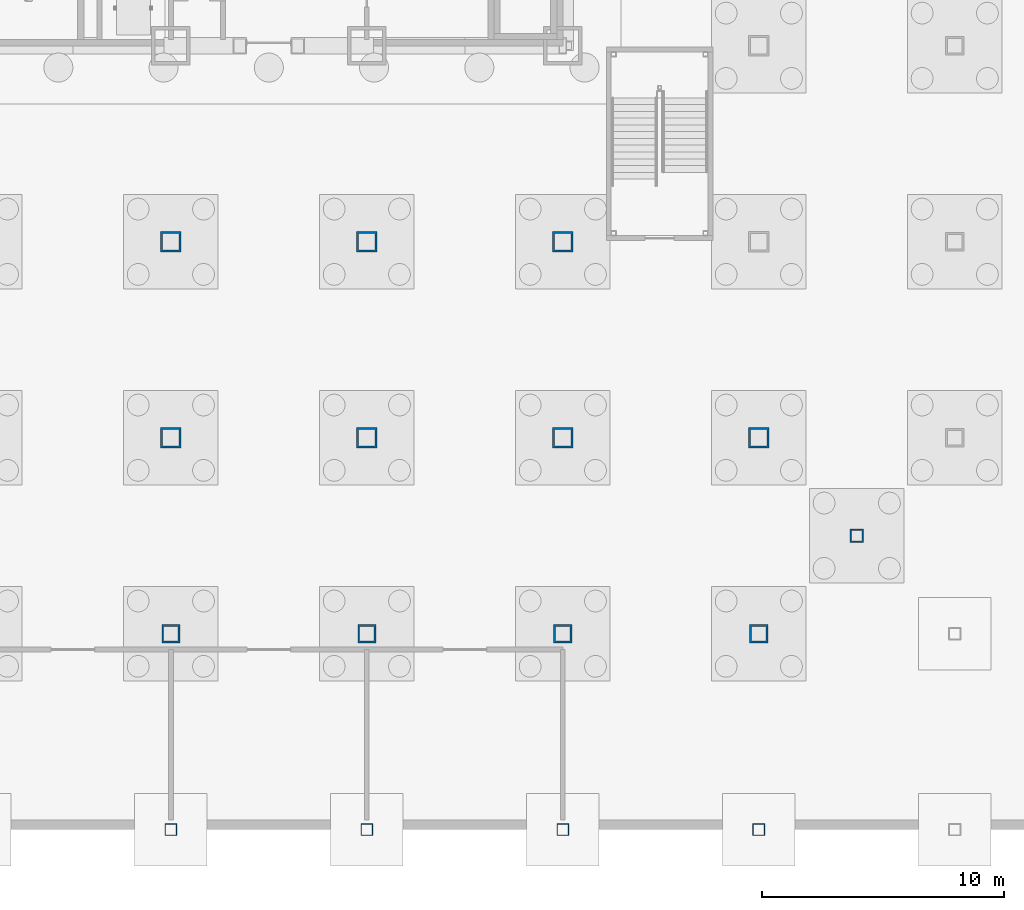
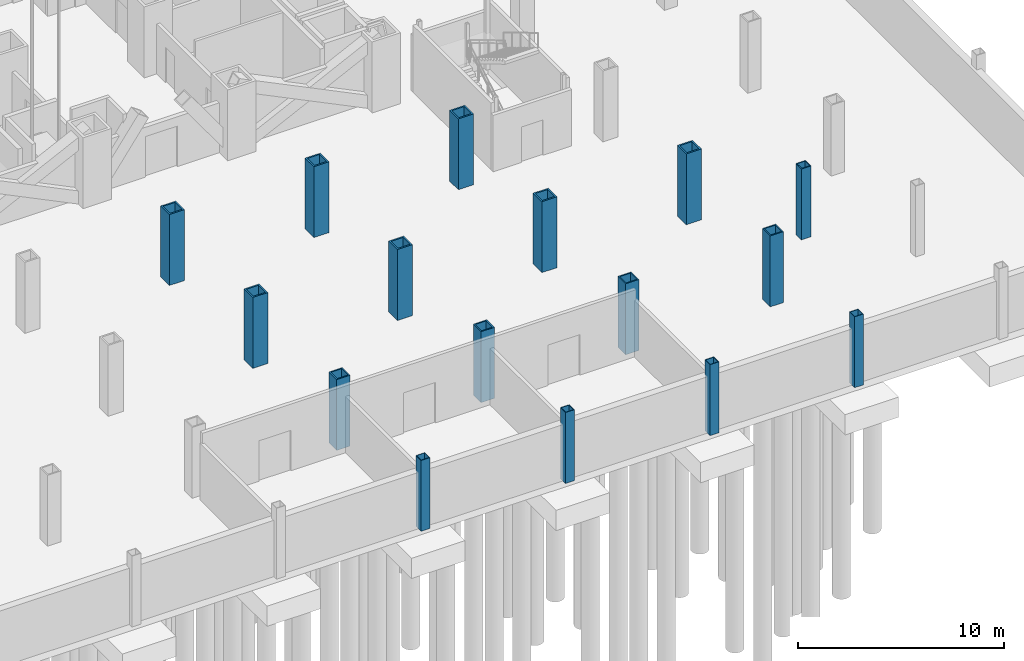
# One storey, part 5 of 17: 16 columns.
"""IFC4 building model written with IfcOpenShell, lengths in metres."""

from ifc_helpers import new_model, si_unit, direction, frame, origin, origin_2d, place, context, subcontext, project, spatial, hollow_rectangle, extrude, material, material_profile, profile_set, type_object, element, save


model = new_model("IFC4")

# Units and contexts
model_context = context("Model", 3, precision=1e-05, world=origin(), true_north=direction((0.0, 1.0)))
body_context = subcontext(model_context, "Body", "Model", "MODEL_VIEW")
ifc_project = project(units=[si_unit("LENGTHUNIT", "METRE"), si_unit("AREAUNIT", "SQUARE_METRE"), si_unit("VOLUMEUNIT", "CUBIC_METRE"), si_unit("PLANEANGLEUNIT", "RADIAN"), si_unit("MASSUNIT", "GRAM", prefix="KILO")], contexts=[model_context])

# Site, building, storey
site_placement = place(None, origin())
site = spatial("IfcSite", under=ifc_project, at=site_placement, CompositionType="ELEMENT")
building_placement = place(site_placement, origin())
building = spatial("IfcBuilding", under=site, at=building_placement, Name="Kopane Lantern Tower", CompositionType="ELEMENT")
storey_placement = place(building_placement, frame((0.0, 0.0, -8.39990234375)))
storey = spatial("IfcBuildingStorey", under=building, at=storey_placement, Name="L-02", CompositionType="ELEMENT", Elevation=-8.39990234375)

# Columns
ifc_material_1 = material(Name="Steel S355JR", Category="steel")
ifc_material_profile_1 = material_profile(ifc_material_1, hollow_rectangle(XDim=0.5, YDim=0.5, WallThickness=0.030029296875, at=origin_2d()), Name="BOX 500x500x30")
ifc_profile_set_1 = profile_set([ifc_material_profile_1], Name="Steel S355JR")
column_type_1 = type_object("IfcColumnType", Name="COLUMN BOX 500x500x30", PredefinedType="COLUMN", material=ifc_profile_set_1)
for number, where, z_axis, x_axis, name in (
    (1, (24.300048828125, -8.10009765625, 0.0), (0.0, 0.0, 1.0), (1.0, 0.0, 0.0), "Column 5/A L-02"),
    (2, (32.39990234375, -8.10009765625, 0.0), (0.0, 0.0, 1.0), (1.0, 0.0, 0.0), "Column 6/A L-02"),
    (3, (40.5, -8.10009765625, 0.0), (0.0, 0.0, 1.0), (1.0, 0.0, 0.0), "Column 7/A L-02"),
    (4, (48.60009765625, -8.10009765625, 0.0), (0.0, 0.0, 1.0), (1.0, 0.0, 0.0), "Column 8/A L-02"),
):
    element("IfcColumn", number, at=place(storey_placement, frame(where, z_axis=z_axis, x_axis=x_axis)), inside=storey, type_object=column_type_1, Name=name, PredefinedType="COLUMN", context=body_context, shape_type="SweptSolid", body=[
        extrude(hollow_rectangle(XDim=0.5, YDim=0.5, WallThickness=0.030029296875, at=origin_2d()), origin(), (0.0, 0.0, 1.0), 4.199951171875),
    ])
ifc_material_2 = material(Name="Steel S355JR", Category="steel")
ifc_material_profile_2 = material_profile(ifc_material_2, hollow_rectangle(XDim=0.550048828125, YDim=0.550048828125, WallThickness=0.050048828125, at=origin_2d()), Name="BOX 550x550x50")
ifc_profile_set_2 = profile_set([ifc_material_profile_2], Name="Steel S355JR")
column_type_2 = type_object("IfcColumnType", Name="COLUMN BOX 550x550x50", PredefinedType="COLUMN", material=ifc_profile_set_2)
column_placement = place(storey_placement, frame((52.64990234375, 4.050048828125, 0.0), z_axis=(0.0, 0.0, 1.0), x_axis=(1.0, 0.0, 0.0)))
element("IfcColumn", 5, at=column_placement, inside=storey, type_object=column_type_2, Name="Column 52.65/4.05 L-02", PredefinedType="COLUMN", context=body_context, shape_type="SweptSolid", body=[
    extrude(hollow_rectangle(XDim=0.550048828125, YDim=0.550048828125, WallThickness=0.050048828125, at=origin_2d()), origin(), (0.0, 0.0, 1.0), 4.199951171875),
])
ifc_material_3 = material(Name="Steel S355JR", Category="steel")
ifc_material_profile_3 = material_profile(ifc_material_3, hollow_rectangle(XDim=0.75, YDim=0.75, WallThickness=0.070068359375, at=origin_2d()), Name="BOX 750x750x70")
ifc_profile_set_3 = profile_set([ifc_material_profile_3], Name="Steel S355JR")
column_type_3 = type_object("IfcColumnType", Name="COLUMN BOX 750x750x70", PredefinedType="COLUMN", material=ifc_profile_set_3)
for number, where, z_axis, x_axis, name in (
    (6, (24.300048828125, 0.0, 0.0), (0.0, 0.0, 1.0), (1.0, 0.0, 0.0), "Column 5/B L-02"),
    (7, (32.39990234375, 0.0, 0.0), (0.0, 0.0, 1.0), (1.0, 0.0, 0.0), "Column 6/B L-02"),
    (8, (40.5, 0.0, 0.0), (0.0, 0.0, 1.0), (1.0, 0.0, 0.0), "Column 7/B L-02"),
    (9, (48.60009765625, 0.0, 0.0), (0.0, 0.0, 1.0), (1.0, 0.0, 0.0), "Column 8/B L-02"),
):
    element("IfcColumn", number, at=place(storey_placement, frame(where, z_axis=z_axis, x_axis=x_axis)), inside=storey, type_object=column_type_3, Name=name, PredefinedType="COLUMN", context=body_context, shape_type="SweptSolid", body=[
        extrude(hollow_rectangle(XDim=0.75, YDim=0.75, WallThickness=0.070068359375, at=origin_2d()), origin(), (0.0, 0.0, 1.0), 4.199951171875),
    ])
ifc_material_4 = material(Name="Steel S355JR", Category="steel")
ifc_material_profile_4 = material_profile(ifc_material_4, hollow_rectangle(XDim=0.85009765625, YDim=0.85009765625, WallThickness=0.0849609375, at=origin_2d()), Name="BOX 850x850x85")
ifc_profile_set_4 = profile_set([ifc_material_profile_4], Name="Steel S355JR")
column_type_4 = type_object("IfcColumnType", Name="COLUMN BOX 850x850x85", PredefinedType="COLUMN", material=ifc_profile_set_4)
for number, where, z_axis, x_axis, name in (
    (10, (24.300048828125, 8.10009765625, 0.0), (0.0, 0.0, 1.0), (1.0, 0.0, 0.0), "Column 5/C L-02"),
    (11, (24.300048828125, 16.199951171875, 0.0), (0.0, 0.0, 1.0), (1.0, 0.0, 0.0), "Column 5/D L-02"),
    (12, (32.39990234375, 8.10009765625, 0.0), (0.0, 0.0, 1.0), (1.0, 0.0, 0.0), "Column 6/C L-02"),
    (13, (32.39990234375, 16.199951171875, 0.0), (0.0, 0.0, 1.0), (1.0, 0.0, 0.0), "Column 6/D L-02"),
    (14, (40.5, 8.10009765625, 0.0), (0.0, 0.0, 1.0), (1.0, 0.0, 0.0), "Column 7/C L-02"),
    (15, (40.5, 16.199951171875, 0.0), (0.0, 0.0, 1.0), (1.0, 0.0, 0.0), "Column 7/D L-02"),
    (16, (48.60009765625, 8.10009765625, 0.0), (0.0, 0.0, 1.0), (1.0, 0.0, 0.0), "Column 8/C L-02"),
):
    element("IfcColumn", number, at=place(storey_placement, frame(where, z_axis=z_axis, x_axis=x_axis)), inside=storey, type_object=column_type_4, Name=name, PredefinedType="COLUMN", context=body_context, shape_type="SweptSolid", body=[
        extrude(hollow_rectangle(XDim=0.85009765625, YDim=0.85009765625, WallThickness=0.0849609375, at=origin_2d()), origin(), (0.0, 0.0, 1.0), 4.199951171875),
    ])

save(model, "model.ifc")
